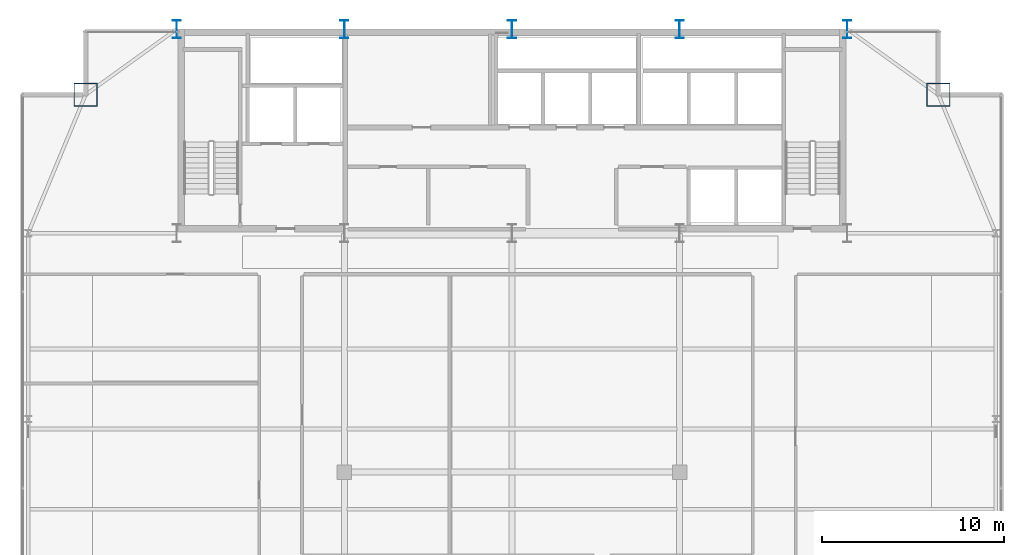
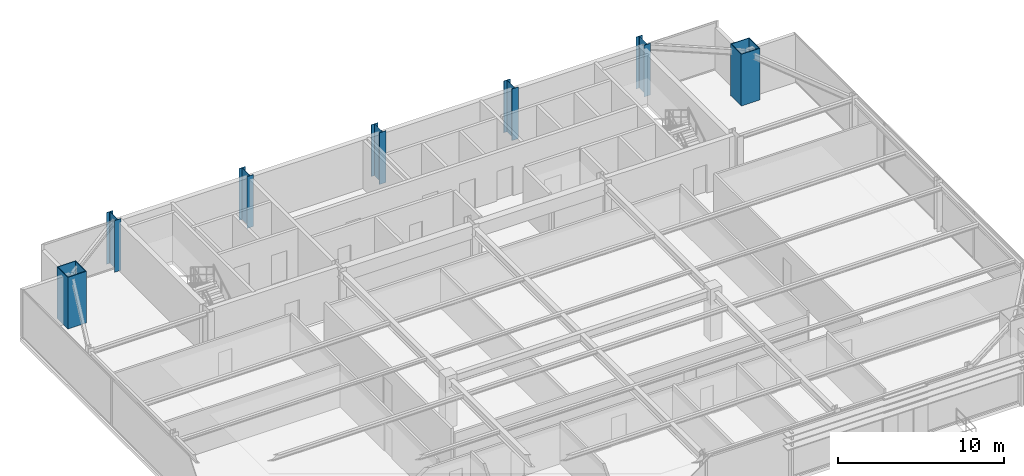
# One storey, part 3 of 30: 7 columns.
"""IFC4 building model written with IfcOpenShell, lengths in metres."""

from ifc_helpers import new_model, si_unit, direction, frame, origin, origin_2d, place, context, subcontext, project, spatial, hollow_rectangle, i_section, extrude, source, transform, mapped, material, material_profile, profile_set, type_object, type_shapes, element, save


model = new_model("IFC4")

# Units and contexts
model_context = context("Model", 3, precision=1e-05, world=origin(), true_north=direction((0.0, 1.0)))
body_context = subcontext(model_context, "Body", "Model", "MODEL_VIEW")
ifc_project = project(units=[si_unit("LENGTHUNIT", "METRE"), si_unit("AREAUNIT", "SQUARE_METRE"), si_unit("VOLUMEUNIT", "CUBIC_METRE"), si_unit("PLANEANGLEUNIT", "RADIAN"), si_unit("MASSUNIT", "GRAM", prefix="KILO")], contexts=[model_context])

# Site, building, storey
site_placement = place(None, origin())
site = spatial("IfcSite", under=ifc_project, at=site_placement, CompositionType="ELEMENT")
building_placement = place(site_placement, origin())
building = spatial("IfcBuilding", under=site, at=building_placement, Name="Varnel Quay Broadcast Tower", CompositionType="ELEMENT")
storey_placement = place(building_placement, frame((0.0, 0.0, 168.60009765625)))
storey = spatial("IfcBuildingStorey", under=building, at=storey_placement, Name="L41", CompositionType="ELEMENT", Elevation=168.60009765625)

# Columns
ifc_material = material(Name="Structural Steel CSA G40.21 350WT", Category="steel")
ifc_material_profile_1 = material_profile(ifc_material, i_section(OverallWidth=0.449951171875, OverallDepth=1.0, WebThickness=0.01611328125, FlangeThickness=0.030029296875, FilletRadius=0.01611328125, at=origin_2d()), Name="WWF1000X362")
ifc_profile_set_1 = profile_set([ifc_material_profile_1], Name="Structural Steel CSA G40.21 350WT")
column_type_1 = type_object("IfcColumnType", Name="Col_WWF1000X362", PredefinedType="COLUMN", material=ifc_profile_set_1)
shared_shape_1 = source(origin(), body_context, "Body", "SweptSolid", [
    extrude(i_section(OverallWidth=0.449951171875, OverallDepth=1.0, WebThickness=0.01611328125, FlangeThickness=0.030029296875, FilletRadius=0.01611328125, at=origin_2d()), origin(), (0.0, 0.0, 1.0), 3.7998046875),
])
type_shapes(column_type_1, [shared_shape_1])
for number, where, z_axis, x_axis, name in (
    (1, (15.60009765625, 46.800048828125, 0.0), (0.0, 0.0, 1.0), (1.0, 0.0, 0.0), "L41 Column CC-N1"),
    (2, (24.800048828125, 46.800048828125, 0.0), (0.0, 0.0, 1.0), (1.0, 0.0, 0.0), "L41 Column CC-N2"),
    (3, (34.0, 46.800048828125, 0.0), (0.0, 0.0, 1.0), (1.0, 0.0, 0.0), "L41 Column CC-N3"),
    (4, (43.199951171875, 46.800048828125, 0.0), (0.0, 0.0, 1.0), (1.0, 0.0, 0.0), "L41 Column CC-N4"),
    (5, (52.39990234375, 46.800048828125, 0.0), (0.0, 0.0, 1.0), (1.0, 0.0, 0.0), "L41 Column CC-N5"),
):
    element("IfcColumn", number, at=place(storey_placement, frame(where, z_axis=z_axis, x_axis=x_axis)), inside=storey, type_object=column_type_1, Name=name, PredefinedType="COLUMN", context=body_context, shape_type="MappedRepresentation", body=[
        mapped(shared_shape_1, transform((0.0, 0.0, 0.0), x_axis=(1.0, 0.0, 0.0), y_axis=(0.0, 1.0, 0.0), z_axis=(0.0, 0.0, 1.0), scale=1.0)),
    ])
ifc_material_profile_2 = material_profile(ifc_material, hollow_rectangle(XDim=1.300048828125, YDim=1.300048828125, WallThickness=0.050048828125, at=origin_2d()), Name="BOX1300X1300X50")
ifc_profile_set_2 = profile_set([ifc_material_profile_2], Name="Structural Steel CSA G40.21 350WT")
column_type_2 = type_object("IfcColumnType", Name="Col_BOX1300X1300X50", PredefinedType="COLUMN", material=ifc_profile_set_2)
shared_shape_2 = source(origin(), body_context, "Body", "SweptSolid", [
    extrude(hollow_rectangle(XDim=1.300048828125, YDim=1.300048828125, WallThickness=0.050048828125, at=origin_2d()), origin(), (0.0, 0.0, 1.0), 3.7998046875),
])
type_shapes(column_type_2, [shared_shape_2])
for number, where, z_axis, x_axis, name in (
    (6, (57.39990234375, 43.199951171875, 0.0), (0.0, 0.0, 1.0), (1.0, 0.0, 0.0), "L41 Column MC-NE"),
    (7, (10.60009765625, 43.199951171875, 0.0), (0.0, 0.0, 1.0), (1.0, 0.0, 0.0), "L41 Column MC-NW"),
):
    element("IfcColumn", number, at=place(storey_placement, frame(where, z_axis=z_axis, x_axis=x_axis)), inside=storey, type_object=column_type_2, Name=name, PredefinedType="COLUMN", context=body_context, shape_type="MappedRepresentation", body=[
        mapped(shared_shape_2, transform((0.0, 0.0, 0.0), x_axis=(1.0, 0.0, 0.0), y_axis=(0.0, 1.0, 0.0), z_axis=(0.0, 0.0, 1.0), scale=1.0)),
    ])

save(model, "model.ifc")
